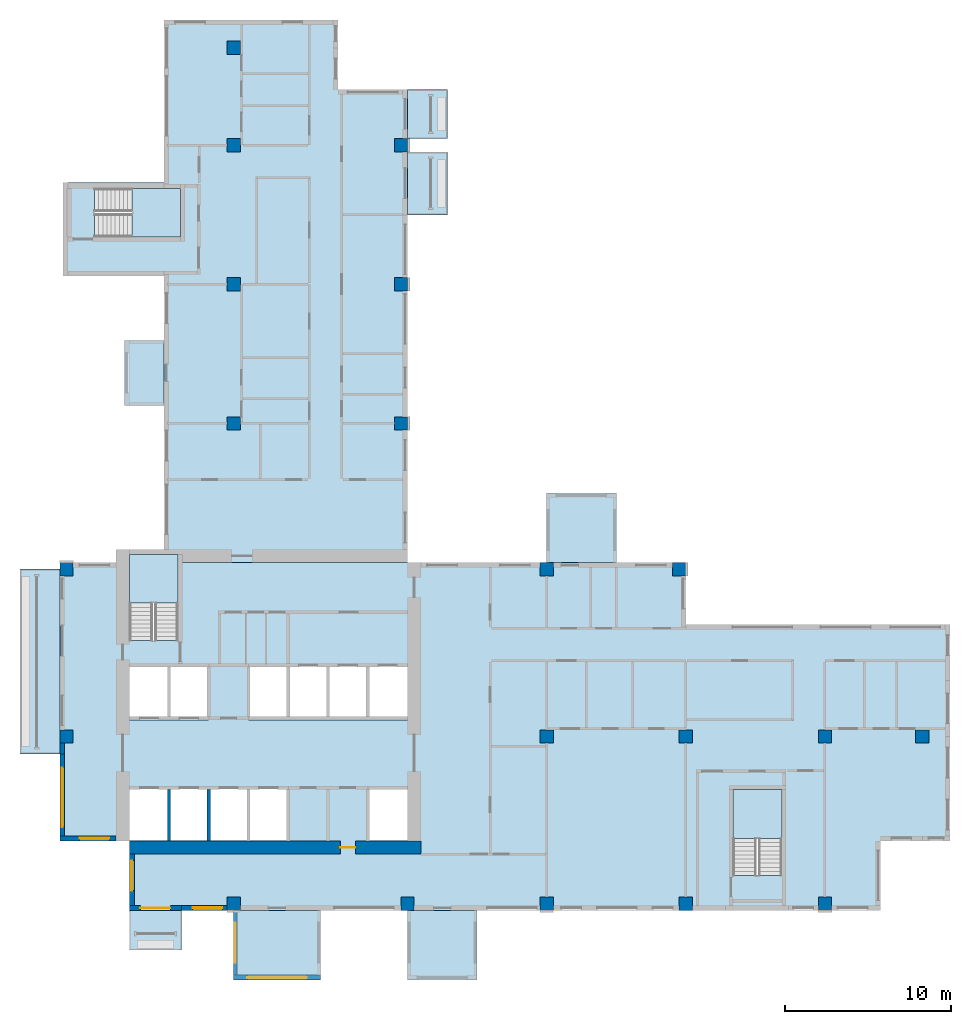
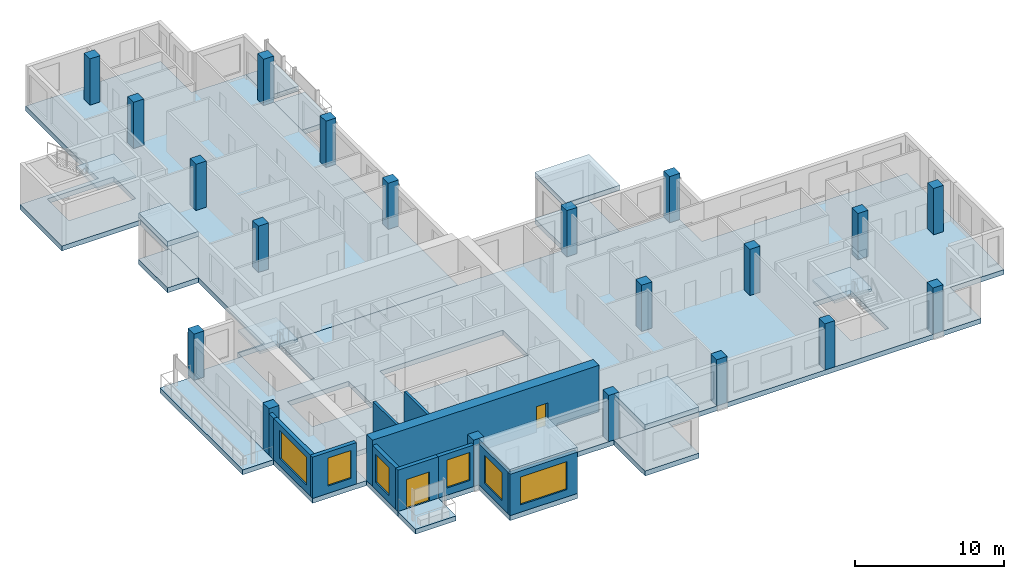
# One storey, part 1 of 12: 20 columns, 17 slabs, 11 walls, 6 windows, 2 doors, 8 openings, 3 elements without a shape of their own.
"""IFC4 building model written with IfcOpenShell, lengths in metres."""

import ifcopenshell
import ifcopenshell.guid

model = None  # the IFC model being written
_history = None  # IfcOwnerHistory: only IFC2X3 demands one
_inside = {}  # id of a spatial element -> (the spatial element, [elements in it])
_under = {}  # id of a project, library or spatial element -> (it, [spatial elements below it])
_declared = {}  # id of a project -> (the project, [libraries it declares])
_typed = {}  # id of a type object -> (the type object, [elements of that type])
_made_of = {}  # id of a material, layer set ... -> (it, [elements and type objects made of it])


def new_model(schema):
    """Start an empty IFC model of exactly this schema.

    Asked for "IFC4X3", IfcOpenShell would pick the latest addendum, in which some entities
    have other attributes; the version numbers below select the first issue.
    IFC2X3 requires an IfcOwnerHistory on every rooted entity: one is made here for all.
    """
    global model, _history
    if schema == "IFC4X3":
        model = ifcopenshell.file(schema_version=(4, 3, 0, 0))
    else:
        model = ifcopenshell.file(schema=schema)
    _inside.clear()
    _under.clear()
    _declared.clear()
    _typed.clear()
    _made_of.clear()
    _history = None
    if model.schema == "IFC2X3":
        org = make("IfcOrganization", Name="unknown")
        user = make(
            "IfcPersonAndOrganization",
            ThePerson=make("IfcPerson", FamilyName="unknown"),
            TheOrganization=org,
        )
        app = make(
            "IfcApplication",
            ApplicationDeveloper=org,
            Version="unknown",
            ApplicationFullName="unknown",
            ApplicationIdentifier="unknown",
        )
        _history = make(
            "IfcOwnerHistory",
            OwningUser=user,
            OwningApplication=app,
            ChangeAction="ADDED",
            CreationDate=0,
        )
    return model


def make(cls, **values):
    """One entity of the class cls with the attributes given. An attribute that is None is left unset."""
    return model.create_entity(
        cls, **{name: value for name, value in values.items() if value is not None}
    )


def rooted(cls, **values):
    """An entity with a GlobalId (a new one), such as an element, a storey or a relation."""
    return make(cls, GlobalId=ifcopenshell.guid.new(), OwnerHistory=_history, **values)


def si_unit(unit_type, name, prefix=None):
    """IfcSIUnit, for example si_unit("LENGTHUNIT", "METRE", prefix="MILLI")."""
    return make("IfcSIUnit", UnitType=unit_type, Prefix=prefix, Name=name)


def assignment(units):
    """IfcUnitAssignment: the units of a project."""
    return None if units is None else make("IfcUnitAssignment", Units=units)


def point(xyz):
    """IfcCartesianPoint."""
    return None if xyz is None else make("IfcCartesianPoint", Coordinates=xyz)


def direction(xyz):
    """IfcDirection."""
    return None if xyz is None else make("IfcDirection", DirectionRatios=xyz)


def frame(location, z_axis=None, x_axis=None):
    """IfcAxis2Placement3D, a coordinate frame: its origin and axes. An axis left out is left unset."""
    return make(
        "IfcAxis2Placement3D",
        Location=point(location),
        Axis=direction(z_axis),
        RefDirection=direction(x_axis),
    )


def frame_2d(location, x_axis=None):
    """IfcAxis2Placement2D, a coordinate frame in the plane: its origin and x axis."""
    return make(
        "IfcAxis2Placement2D", Location=point(location), RefDirection=direction(x_axis)
    )


def origin():
    """The frame at (0, 0, 0) with its axes left unset."""
    return frame((0.0, 0.0, 0.0))


def origin_2d():
    """The frame at (0, 0) in the plane with its x axis left unset."""
    return frame_2d((0.0, 0.0))


def place(relative_to, where):
    """IfcLocalPlacement: puts the frame where relative to a parent placement (None: the world)."""
    return make(
        "IfcLocalPlacement", PlacementRelTo=relative_to, RelativePlacement=where
    )


def context(
    kind, dimensions, precision=None, world=None, true_north=None, identifier=None
):
    """IfcGeometricRepresentationContext, for example the 3D "Model" context."""
    return make(
        "IfcGeometricRepresentationContext",
        ContextIdentifier=identifier,
        ContextType=kind,
        CoordinateSpaceDimension=dimensions,
        Precision=precision,
        WorldCoordinateSystem=world,
        TrueNorth=true_north,
    )


def subcontext(parent, identifier, kind, view, scale=None):
    """IfcGeometricRepresentationSubContext, for example "Body" below "Model"."""
    return make(
        "IfcGeometricRepresentationSubContext",
        ContextIdentifier=identifier,
        ContextType=kind,
        ParentContext=parent,
        TargetScale=scale,
        TargetView=view,
    )


def project(units=None, contexts=None):
    """IfcProject with its units and contexts."""
    return rooted(
        "IfcProject",
        Name="project",
        RepresentationContexts=contexts,
        UnitsInContext=assignment(units),
    )


def spatial(cls, under=None, at=None, **own):
    """A site, building, storey or space (cls), placed at a placement, below another one or the project."""
    s = rooted(cls, ObjectPlacement=at, **own)
    if under is not None:
        _under.setdefault(under.id(), (under, []))[1].append(s)
    return s


def polyline(points):
    """IfcPolyline through the points."""
    return make("IfcPolyline", Points=[point(p) for p in points])


def profile(cls, at=None, kind="AREA", **sizes):
    """A parametric profile (cls). Its sizes go by their IFC names, for example OverallWidth=200.0."""
    return make(cls, ProfileType=kind, Position=at, **sizes)


def rectangle(**sizes):
    """IfcRectangleProfileDef."""
    return profile("IfcRectangleProfileDef", **sizes)


def outline(outer, holes=None, kind="AREA"):
    """IfcArbitraryClosedProfileDef: a profile drawn as a closed curve; with holes, ...WithVoids."""
    if holes is None:
        return make("IfcArbitraryClosedProfileDef", ProfileType=kind, OuterCurve=outer)
    return make(
        "IfcArbitraryProfileDefWithVoids",
        ProfileType=kind,
        OuterCurve=outer,
        InnerCurves=holes,
    )


def extrude(swept, where, along, depth):
    """IfcExtrudedAreaSolid: the profile swept, set in the frame where, extruded along a direction by depth."""
    return make(
        "IfcExtrudedAreaSolid",
        SweptArea=swept,
        Position=where,
        ExtrudedDirection=direction(along),
        Depth=depth,
    )


def shape(context_of_items, identifier, shape_type, items):
    """IfcShapeRepresentation: the items that make up one representation, for example the "Body"."""
    return make(
        "IfcShapeRepresentation",
        ContextOfItems=context_of_items,
        RepresentationIdentifier=identifier,
        RepresentationType=shape_type,
        Items=items,
    )


def source(mapping_origin, context_of_items, identifier, shape_type, items):
    """IfcRepresentationMap: a shape defined once, which mapped items show again and again."""
    return make(
        "IfcRepresentationMap",
        MappingOrigin=mapping_origin,
        MappedRepresentation=shape(context_of_items, identifier, shape_type, items),
    )


def transform(
    local_origin,
    x_axis=None,
    y_axis=None,
    z_axis=None,
    scale=None,
    scale2=None,
    scale3=None,
    uniform=True,
):
    """IfcCartesianTransformationOperator3D, or its non-uniform kind. x_axis, y_axis, z_axis: its Axis1, 2, 3."""
    if uniform:
        return make(
            "IfcCartesianTransformationOperator3D",
            Axis1=direction(x_axis),
            Axis2=direction(y_axis),
            LocalOrigin=point(local_origin),
            Scale=scale,
            Axis3=direction(z_axis),
        )
    return make(
        "IfcCartesianTransformationOperator3DnonUniform",
        Axis1=direction(x_axis),
        Axis2=direction(y_axis),
        LocalOrigin=point(local_origin),
        Scale=scale,
        Axis3=direction(z_axis),
        Scale2=scale2,
        Scale3=scale3,
    )


def mapped(mapping_source, mapping_target):
    """IfcMappedItem: shows the shape of a source again, moved by a transform."""
    return make(
        "IfcMappedItem", MappingSource=mapping_source, MappingTarget=mapping_target
    )


def material(Name=None, Category=None):
    """IfcMaterial."""
    return make("IfcMaterial", Name=Name, Category=Category)


def layer(
    of_material, thickness, ventilated=None, Name=None, Category=None, Priority=None
):
    """IfcMaterialLayer: one layer of a wall or slab, of a material (None: an air gap)."""
    return make(
        "IfcMaterialLayer",
        Material=of_material,
        LayerThickness=thickness,
        IsVentilated=ventilated,
        Name=Name,
        Category=Category,
        Priority=Priority,
    )


def layer_set(layers, Name=None):
    """IfcMaterialLayerSet."""
    return make("IfcMaterialLayerSet", MaterialLayers=layers, LayerSetName=Name)


def material_profile(
    of_material, cross_section, Name=None, Category=None, Priority=None
):
    """IfcMaterialProfile: a cross section and its material."""
    return make(
        "IfcMaterialProfile",
        Name=Name,
        Material=of_material,
        Profile=cross_section,
        Priority=Priority,
        Category=Category,
    )


def profile_set(profiles, Name=None, composite=None):
    """IfcMaterialProfileSet."""
    return make(
        "IfcMaterialProfileSet",
        Name=Name,
        MaterialProfiles=profiles,
        CompositeProfile=composite,
    )


def made_of(thing, what):
    """Note that an element or type object is made of a material, layer set ...; save() writes the relation."""
    if what is not None:
        _made_of.setdefault(what.id(), (what, []))[1].append(thing)
    return thing


def type_object(cls, material=None, **own):
    """A type object (cls), such as IfcWallType, which elements share."""
    return made_of(rooted(cls, **own), material)


def element(
    cls,
    number,
    at=None,
    inside=None,
    cuts=None,
    type_object=None,
    material=None,
    context=None,
    identifier="Body",
    shape_type=None,
    held_by="IfcProductDefinitionShape",
    body=None,
    shapes=None,
    **own,
):
    """One element of the class cls, such as IfcWall. Its Tag is "e" and its number.

    at: its placement. inside: the storey or other place that contains it. cuts: it is an
    opening in that element (IfcRelVoidsElement). A single representation is given by context,
    identifier, shape_type and body (its items); several are given by shapes. held_by: the class
    of the entity that holds the representations. save() writes the other relations.
    """
    e = rooted(cls, Tag="e%d" % number, ObjectPlacement=at, **own)
    if body is not None:
        shapes = [shape(context, identifier, shape_type, body)]
    if shapes is not None:
        e.Representation = make(held_by, Representations=shapes)
    if inside is not None:
        _inside.setdefault(inside.id(), (inside, []))[1].append(e)
    if cuts is not None:
        rooted(
            "IfcRelVoidsElement", RelatingBuildingElement=cuts, RelatedOpeningElement=e
        )
    if type_object is not None:
        _typed.setdefault(type_object.id(), (type_object, []))[1].append(e)
    return made_of(e, material)


def fill(opening, filler):
    """IfcRelFillsElement: the door or window that sits in an opening."""
    return rooted(
        "IfcRelFillsElement",
        RelatingOpeningElement=opening,
        RelatedBuildingElement=filler,
    )


def aggregate(whole, parts):
    """IfcRelAggregates: a whole, such as a stair, and the parts it consists of."""
    return rooted("IfcRelAggregates", RelatingObject=whole, RelatedObjects=parts)


def save(model, path):
    """Write the relations noted so far, then the file.

    IfcRelAggregates (storeys below a building ...), IfcRelContainedInSpatialStructure (elements
    in a storey), IfcRelDefinesByType, IfcRelAssociatesMaterial and IfcRelDeclares: one each for
    every whole, place, type object, material and project.
    """
    for whole, parts in _under.values():
        aggregate(whole, parts)
    for where, things in _inside.values():
        rooted(
            "IfcRelContainedInSpatialStructure",
            RelatedElements=things,
            RelatingStructure=where,
        )
    for kind, things in _typed.values():
        rooted("IfcRelDefinesByType", RelatedObjects=things, RelatingType=kind)
    for what, things in _made_of.values():
        rooted("IfcRelAssociatesMaterial", RelatedObjects=things, RelatingMaterial=what)
    for by, libraries in _declared.values():
        rooted("IfcRelDeclares", RelatingContext=by, RelatedDefinitions=libraries)
    model.write(path)


model = new_model("IFC4")

# Units and contexts
model_context = context("Model", 3, precision=1e-05, world=origin(), true_north=direction((0.0, 1.0)))
body_context = subcontext(model_context, "Body", "Model", "MODEL_VIEW")
ifc_project = project(units=[si_unit("LENGTHUNIT", "METRE"), si_unit("AREAUNIT", "SQUARE_METRE"), si_unit("VOLUMEUNIT", "CUBIC_METRE"), si_unit("PLANEANGLEUNIT", "RADIAN"), si_unit("MASSUNIT", "GRAM", prefix="KILO")], contexts=[model_context])

# Site, building, storey
site_placement = place(None, origin())
site = spatial("IfcSite", under=ifc_project, at=site_placement, CompositionType="ELEMENT")
building_placement = place(site_placement, origin())
building = spatial("IfcBuilding", under=site, at=building_placement, Name="Aurelian Terraces", CompositionType="ELEMENT")
storey_placement = place(building_placement, frame((0.0, 0.0, 246.2)))
storey = spatial("IfcBuildingStorey", under=building, at=storey_placement, Name="L56", CompositionType="ELEMENT", Elevation=246.2)

# Columns
ifc_material_1 = material(Name="Concrete fc' 70 MPa", Category="concrete")
ifc_material_profile = material_profile(ifc_material_1, rectangle(XDim=0.8, YDim=0.8, at=origin_2d()))
ifc_profile_set = profile_set([ifc_material_profile], Name="Concrete fc' 70 MPa")
column_type = type_object("IfcColumnType", Name="RC COLUMN 800X800 FC70", PredefinedType="COLUMN", material=ifc_profile_set)
shared_shape_1 = source(origin(), body_context, "Body", "SweptSolid", [
    extrude(rectangle(XDim=0.8, YDim=0.8, at=origin_2d()), origin(), (0.0, 0.0, 1.0), 3.8),
])
for number, where, z_axis, x_axis, name in (
    (1, (10.5, 0.4, 0.0), (0.0, 0.0, 1.0), (1.0, 0.0, 0.0), "Column 2/A L56"),
    (2, (21.0, 0.4, 0.0), (0.0, 0.0, 1.0), (1.0, 0.0, 0.0), "Column 3/A L56"),
    (3, (29.4, 0.4, 0.0), (0.0, 0.0, 1.0), (1.0, 0.0, 0.0), "Column 4/A L56"),
    (4, (37.8, 0.4, 0.0), (0.0, 0.0, 1.0), (1.0, 0.0, 0.0), "Column 5/A L56"),
    (5, (46.2, 0.4, 0.0), (0.0, 0.0, 1.0), (1.0, 0.0, 0.0), "Column 6/A L56"),
    (6, (0.4, 10.5, 0.0), (0.0, 0.0, 1.0), (1.0, 0.0, 0.0), "Column 1/B L56"),
    (7, (29.4, 10.5, 0.0), (0.0, 0.0, 1.0), (1.0, 0.0, 0.0), "Column 4/B L56"),
    (8, (37.8, 10.5, 0.0), (0.0, 0.0, 1.0), (1.0, 0.0, 0.0), "Column 5/B L56"),
    (9, (46.2, 10.5, 0.0), (0.0, 0.0, 1.0), (1.0, 0.0, 0.0), "Column 6/B L56"),
    (10, (52.08, 10.5, 0.0), (0.0, 0.0, 1.0), (1.0, 0.0, 0.0), "Column 7/B L56"),
    (11, (0.4, 20.6, 0.0), (0.0, 0.0, 1.0), (1.0, 0.0, 0.0), "Column 1/C L56"),
    (12, (29.4, 20.6, 0.0), (0.0, 0.0, 1.0), (1.0, 0.0, 0.0), "Column 4/C L56"),
    (13, (37.4, 20.6, 0.0), (0.0, 0.0, 1.0), (1.0, 0.0, 0.0), "Column 5/C L56"),
    (14, (10.5, 29.4, 0.0), (0.0, 0.0, 1.0), (1.0, 0.0, 0.0), "Column 2/D L56"),
    (15, (20.6, 29.4, 0.0), (0.0, 0.0, 1.0), (1.0, 0.0, 0.0), "Column 3/D L56"),
    (16, (10.5, 37.8, 0.0), (0.0, 0.0, 1.0), (1.0, 0.0, 0.0), "Column 2/E L56"),
    (17, (20.6, 37.8, 0.0), (0.0, 0.0, 1.0), (1.0, 0.0, 0.0), "Column 3/E L56"),
    (18, (10.5, 46.2, 0.0), (0.0, 0.0, 1.0), (1.0, 0.0, 0.0), "Column 2/F L56"),
    (19, (20.6, 46.2, 0.0), (0.0, 0.0, 1.0), (1.0, 0.0, 0.0), "Column 3/F L56"),
    (20, (10.5, 52.08, 0.0), (0.0, 0.0, 1.0), (1.0, 0.0, 0.0), "Column 2/G L56"),
):
    element("IfcColumn", number, at=place(storey_placement, frame(where, z_axis=z_axis, x_axis=x_axis)), inside=storey, type_object=column_type, Name=name, PredefinedType="COLUMN", context=body_context, shape_type="MappedRepresentation", body=[
        mapped(shared_shape_1, transform((0.0, 0.0, 0.0), scale=1.0)),
    ])

# Slabs
ifc_material_2 = material(Name="Concrete fc' 40 MPa", Category="concrete")
ifc_layer_1 = layer(ifc_material_2, 0.4)
ifc_layer_set_1 = layer_set([ifc_layer_1], Name="Balcony slab 400")
slab_type_1 = type_object("IfcSlabType", Name="Balcony slab 400", PredefinedType="NOTDEFINED", material=ifc_layer_set_1)
slab_1_placement = place(storey_placement, frame((0.0, 0.0, -0.4)))
element("IfcSlab", 21, at=slab_1_placement, inside=storey, type_object=slab_type_1, Name="Balcony slab L56 F20.35", PredefinedType="NOTDEFINED", context=body_context, shape_type="SweptSolid", body=[
    extrude(outline(polyline([(0.0, 20.6), (0.0, 9.45), (-2.4, 9.45), (-2.4, 20.6), (0.0, 20.6)])), origin(), (0.0, 0.0, 1.0), 0.4),
])
ifc_layer_2 = layer(ifc_material_2, 0.4)
ifc_layer_set_2 = layer_set([ifc_layer_2], Name="PT FLAT PLATE 400")
slab_type_2 = type_object("IfcSlabType", Name="PT FLAT PLATE 400", PredefinedType="FLOOR", material=ifc_layer_set_2)
shared_shape_2 = source(origin(), body_context, "Body", "SweptSolid", [
    extrude(outline(polyline([(0.2, 43.95), (6.3, 43.95), (6.3, 49.56), (6.3, 53.76), (10.5, 53.76), (16.8, 53.76), (16.8, 49.56), (21.0, 49.56), (21.0, 21.0), (7.14, 21.0), (7.14, 21.49), (4.21, 21.49), (4.21, 21.0), (4.2, 21.0), (4.2, 21.6), (6.3, 21.6), (6.3, 38.3), (0.2, 38.3), (0.2, 43.95)]), holes=[polyline([(7.29, 43.59), (2.11, 43.59), (2.11, 40.66), (7.29, 40.66), (7.29, 43.59)])]), origin(), (0.0, 0.0, 1.0), 0.4),
])
slab_2_placement = place(storey_placement, frame((0.0, 0.0, -0.4)))
element("IfcSlab", 22, at=slab_2_placement, inside=storey, type_object=slab_type_2, Name="Floor slab W L56", PredefinedType="FLOOR", context=body_context, shape_type="MappedRepresentation", body=[
    mapped(shared_shape_2, transform((0.0, 0.0, 0.0), scale=1.0)),
])
shared_shape_3 = source(origin(), body_context, "Body", "SweptSolid", [
    extrude(outline(polyline([(53.76, 4.2), (49.56, 4.2), (49.56, 0.0), (21.0, 0.0), (4.2, 0.0), (4.2, 4.2), (0.0, 4.2), (0.0, 21.0), (4.21, 21.0), (4.21, 16.31), (7.14, 16.31), (7.14, 21.0), (21.0, 21.0), (37.8, 21.0), (37.8, 17.25), (49.56, 17.25), (53.76, 17.25), (53.76, 16.8), (53.76, 16.65), (53.76, 4.2)]), holes=[polyline([(40.66, 2.11), (43.59, 2.11), (43.59, 7.29), (40.66, 7.29), (40.66, 2.11)]), polyline([(18.61, 7.49), (18.61, 4.21), (20.99, 4.21), (20.99, 7.49), (18.61, 7.49)]), polyline([(20.99, 14.89), (11.41, 14.89), (11.41, 11.51), (20.99, 11.51), (20.99, 14.89)]), polyline([(4.21, 7.49), (4.21, 4.21), (13.79, 4.21), (13.79, 7.49), (4.21, 7.49)]), polyline([(4.21, 14.89), (4.21, 11.51), (8.99, 11.51), (8.99, 14.89), (4.21, 14.89)])]), origin(), (0.0, 0.0, 1.0), 0.4),
])
slab_3_placement = place(storey_placement, frame((0.0, 0.0, -0.4)))
element("IfcSlab", 23, at=slab_3_placement, inside=storey, type_object=slab_type_2, Name="Floor slab S L56", PredefinedType="FLOOR", context=body_context, shape_type="MappedRepresentation", body=[
    mapped(shared_shape_3, transform((0.0, 0.0, 0.0), scale=1.0)),
])
ifc_layer_3 = layer(ifc_material_2, 0.41)
ifc_layer_set_3 = layer_set([ifc_layer_3], Name="Box floor 410")
slab_type_3 = type_object("IfcSlabType", Name="Box floor 410", PredefinedType="NOTDEFINED", material=ifc_layer_set_3)
shared_shape_4 = source(origin(), body_context, "Body", "SweptSolid", [
    extrude(outline(polyline([(3.9, 34.4), (3.9, 30.5), (6.3, 30.5), (6.3, 34.4), (3.9, 34.4)])), origin(), (0.0, 0.0, 1.0), 0.41),
])
slab_4_placement = place(storey_placement, frame((0.0, 0.0, -0.41)))
element("IfcSlab", 24, at=slab_4_placement, inside=storey, type_object=slab_type_3, Name="Box floor L56 J82", PredefinedType="NOTDEFINED", context=body_context, shape_type="MappedRepresentation", body=[
    mapped(shared_shape_4, transform((0.0, 0.0, 0.0), scale=1.0)),
])
shared_shape_5 = source(origin(), body_context, "Body", "SweptSolid", [
    extrude(outline(polyline([(21.0, -4.2), (25.2, -4.2), (25.2, 0.0), (21.0, 0.0), (21.0, -4.2)])), origin(), (0.0, 0.0, 1.0), 0.41),
])
slab_5_placement = place(storey_placement, frame((0.0, 0.0, -0.41)))
element("IfcSlab", 25, at=slab_5_placement, inside=storey, type_object=slab_type_3, Name="Box floor L56 J80", PredefinedType="NOTDEFINED", context=body_context, shape_type="MappedRepresentation", body=[
    mapped(shared_shape_5, transform((0.0, 0.0, 0.0), scale=1.0)),
])
ifc_layer_4 = layer(ifc_material_2, 0.4)
ifc_layer_set_4 = layer_set([ifc_layer_4], Name="Box roof 400")
slab_type_4 = type_object("IfcSlabType", Name="Box roof 400", PredefinedType="ROOF", material=ifc_layer_set_4)
shared_shape_6 = source(origin(), body_context, "Body", "SweptSolid", [
    extrude(outline(polyline([(3.9, 34.4), (3.9, 30.5), (6.3, 30.5), (6.3, 34.4), (3.9, 34.4)])), origin(), (0.0, 0.0, 1.0), 0.4),
])
slab_6_placement = place(storey_placement, frame((0.0, 0.0, 3.4)))
element("IfcSlab", 26, at=slab_6_placement, inside=storey, type_object=slab_type_4, Name="Box roof J82", PredefinedType="ROOF", context=body_context, shape_type="MappedRepresentation", body=[
    mapped(shared_shape_6, transform((0.0, 0.0, 0.0), scale=1.0)),
])
shared_shape_7 = source(origin(), body_context, "Body", "SweptSolid", [
    extrude(outline(polyline([(33.6, 25.2), (29.4, 25.2), (29.4, 21.0), (33.6, 21.0), (33.6, 25.2)])), origin(), (0.0, 0.0, 1.0), 0.41),
])
slab_7_placement = place(storey_placement, frame((0.0, 0.0, -0.41)))
element("IfcSlab", 27, at=slab_7_placement, inside=storey, type_object=slab_type_3, Name="Box floor L56 J81", PredefinedType="NOTDEFINED", context=body_context, shape_type="MappedRepresentation", body=[
    mapped(shared_shape_7, transform((0.0, 0.0, 0.0), scale=1.0)),
])
shared_shape_8 = source(origin(), body_context, "Body", "SweptSolid", [
    extrude(outline(polyline([(10.5, -4.2), (15.75, -4.2), (15.75, 0.0), (10.5, 0.0), (10.5, -4.2)])), origin(), (0.0, 0.0, 1.0), 0.41),
])
slab_8_placement = place(storey_placement, frame((0.0, 0.0, -0.41)))
element("IfcSlab", 28, at=slab_8_placement, inside=storey, type_object=slab_type_3, Name="Box floor L56 J79", PredefinedType="NOTDEFINED", context=body_context, shape_type="MappedRepresentation", body=[
    mapped(shared_shape_8, transform((0.0, 0.0, 0.0), scale=1.0)),
])
shared_shape_9 = source(origin(), body_context, "Body", "SweptSolid", [
    extrude(outline(polyline([(4.2, 0.0), (7.35, 0.0), (7.35, -2.4), (4.2, -2.4), (4.2, 0.0)])), origin(), (0.0, 0.0, 1.0), 0.4),
])
slab_9_placement = place(storey_placement, frame((0.0, 0.0, -0.4)))
element("IfcSlab", 29, at=slab_9_placement, inside=storey, type_object=slab_type_1, Name="Balcony slab L56 F01.1", PredefinedType="NOTDEFINED", context=body_context, shape_type="MappedRepresentation", body=[
    mapped(shared_shape_9, transform((0.0, 0.0, 0.0), scale=1.0)),
])
shared_shape_10 = source(origin(), body_context, "Body", "SweptSolid", [
    extrude(outline(polyline([(33.6, 25.2), (29.4, 25.2), (29.4, 21.0), (33.6, 21.0), (33.6, 25.2)])), origin(), (0.0, 0.0, 1.0), 0.4),
])
slab_10_placement = place(storey_placement, frame((0.0, 0.0, 3.4)))
element("IfcSlab", 30, at=slab_10_placement, inside=storey, type_object=slab_type_4, Name="Box roof J81", PredefinedType="ROOF", context=body_context, shape_type="MappedRepresentation", body=[
    mapped(shared_shape_10, transform((0.0, 0.0, 0.0), scale=1.0)),
])
shared_shape_11 = source(origin(), body_context, "Body", "SweptSolid", [
    extrude(outline(polyline([(10.5, -4.2), (15.75, -4.2), (15.75, 0.0), (10.5, 0.0), (10.5, -4.2)])), origin(), (0.0, 0.0, 1.0), 0.4),
])
slab_11_placement = place(storey_placement, frame((0.0, 0.0, 3.4)))
element("IfcSlab", 31, at=slab_11_placement, inside=storey, type_object=slab_type_4, Name="Box roof J79", PredefinedType="ROOF", context=body_context, shape_type="MappedRepresentation", body=[
    mapped(shared_shape_11, transform((0.0, 0.0, 0.0), scale=1.0)),
])
shared_shape_12 = source(origin(), body_context, "Body", "SweptSolid", [
    extrude(outline(polyline([(21.0, 46.6), (21.0, 49.56), (23.4, 49.56), (23.4, 46.6), (21.0, 46.6)])), origin(), (0.0, 0.0, 1.0), 0.4),
])
slab_12_placement = place(storey_placement, frame((0.0, 0.0, -0.4)))
element("IfcSlab", 32, at=slab_12_placement, inside=storey, type_object=slab_type_1, Name="Balcony slab L56 F08.22", PredefinedType="NOTDEFINED", context=body_context, shape_type="MappedRepresentation", body=[
    mapped(shared_shape_12, transform((0.0, 0.0, 0.0), scale=1.0)),
])
shared_shape_13 = source(origin(), body_context, "Body", "SweptSolid", [
    extrude(outline(polyline([(21.0, -4.2), (25.2, -4.2), (25.2, 0.0), (21.0, 0.0), (21.0, -4.2)])), origin(), (0.0, 0.0, 1.0), 0.4),
])
slab_13_placement = place(storey_placement, frame((0.0, 0.0, 3.4)))
element("IfcSlab", 33, at=slab_13_placement, inside=storey, type_object=slab_type_4, Name="Box roof J80", PredefinedType="ROOF", context=body_context, shape_type="MappedRepresentation", body=[
    mapped(shared_shape_13, transform((0.0, 0.0, 0.0), scale=1.0)),
])
shared_shape_14 = source(origin(), body_context, "Body", "SweptSolid", [
    extrude(outline(polyline([(21.0, 42.0), (21.0, 45.8), (23.4, 45.8), (23.4, 42.0), (21.0, 42.0)])), origin(), (0.0, 0.0, 1.0), 0.4),
])
slab_14_placement = place(storey_placement, frame((0.0, 0.0, -0.4)))
element("IfcSlab", 34, at=slab_14_placement, inside=storey, type_object=slab_type_1, Name="Balcony slab L56 F08.21", PredefinedType="NOTDEFINED", context=body_context, shape_type="MappedRepresentation", body=[
    mapped(shared_shape_14, transform((0.0, 0.0, 0.0), scale=1.0)),
])

# Stair, slab
stair_type = type_object("IfcStairType", Name="Stair 1400", PredefinedType="HALF_TURN_STAIR", material=ifc_material_2)
stair_1_placement = place(storey_placement, origin())
stair_1 = element("IfcStair", 35, at=stair_1_placement, inside=storey, type_object=stair_type, Name="L56 S1", PredefinedType="HALF_TURN_STAIR")
ifc_layer_5 = layer(ifc_material_2, 0.2)
ifc_layer_set_5 = layer_set([ifc_layer_5], Name="Stair landing 200")
slab_type_5 = type_object("IfcSlabType", Name="Stair landing 200", PredefinedType="LANDING", material=ifc_layer_set_5)
shared_shape_15 = source(origin(), body_context, "Body", "SweptSolid", [
    extrude(outline(polyline([(7.15, 18.55), (7.15, 21.5), (4.2, 21.5), (4.2, 18.55), (7.15, 18.55)])), origin(), (0.0, 0.0, 1.0), 0.2),
])
slab_15_placement = place(storey_placement, frame((0.0, 0.0, 1.7)))
slab_15 = element("IfcSlab", 36, at=slab_15_placement, type_object=slab_type_5, Name="S1 landing 1", PredefinedType="LANDING", context=body_context, shape_type="MappedRepresentation", body=[
    mapped(shared_shape_15, transform((0.0, 0.0, 0.0), scale=1.0)),
])
aggregate(stair_1, [slab_15])

stair_2_placement = place(storey_placement, origin())
stair_2 = element("IfcStair", 37, at=stair_2_placement, inside=storey, type_object=stair_type, Name="L56 S2", PredefinedType="HALF_TURN_STAIR")
shared_shape_16 = source(origin(), body_context, "Body", "SweptSolid", [
    extrude(outline(polyline([(43.6, 4.35), (43.6, 7.3), (40.65, 7.3), (40.65, 4.35), (43.6, 4.35)])), origin(), (0.0, 0.0, 1.0), 0.2),
])
slab_16_placement = place(storey_placement, frame((0.0, 0.0, 1.7)))
slab_16 = element("IfcSlab", 38, at=slab_16_placement, type_object=slab_type_5, Name="S2 landing 1", PredefinedType="LANDING", context=body_context, shape_type="MappedRepresentation", body=[
    mapped(shared_shape_16, transform((0.0, 0.0, 0.0), scale=1.0)),
])
aggregate(stair_2, [slab_16])

stair_3_placement = place(storey_placement, origin())
stair_3 = element("IfcStair", 39, at=stair_3_placement, inside=storey, type_object=stair_type, Name="L56 S3", PredefinedType="HALF_TURN_STAIR")
shared_shape_17 = source(origin(), body_context, "Body", "SweptSolid", [
    extrude(outline(polyline([(4.35, 40.65), (7.3, 40.65), (7.3, 43.6), (4.35, 43.6), (4.35, 40.65)])), origin(), (0.0, 0.0, 1.0), 0.2),
])
slab_17_placement = place(storey_placement, frame((0.0, 0.0, 1.7)))
slab_17 = element("IfcSlab", 40, at=slab_17_placement, type_object=slab_type_5, Name="S3 landing 1", PredefinedType="LANDING", context=body_context, shape_type="MappedRepresentation", body=[
    mapped(shared_shape_17, transform((0.0, 0.0, 0.0), scale=1.0)),
])
aggregate(stair_3, [slab_17])

# Wall
ifc_material_3 = material(Name="Terracotta rainscreen cladding", Category="masonry")
ifc_layer_6 = layer(ifc_material_3, 0.3)
ifc_layer_set_6 = layer_set([ifc_layer_6], Name="EW-300")
wall_type_1 = type_object("IfcWallType", Name="EW-300", PredefinedType="STANDARD", material=ifc_layer_set_6)
wall_1_placement = place(storey_placement, frame((0.15, 10.1, 0.0), z_axis=(0.0, 0.0, 1.0), x_axis=(0.0, -1.0, 0.0)))
element("IfcWall", 41, at=wall_1_placement, inside=storey, type_object=wall_type_1, Name="External wall L56 F20.35", PredefinedType="STANDARD", context=body_context, shape_type="SweptSolid", body=[
    extrude(rectangle(XDim=0.65, YDim=0.3, at=frame_2d((0.325, 0.0))), origin(), (0.0, 0.0, 1.0), 3.4),
])

# Wall, opening, door
ifc_layer_7 = layer(ifc_material_1, 0.8)
ifc_layer_set_7 = layer_set([ifc_layer_7], Name="CORE WALL 800 FC70")
wall_type_2 = type_object("IfcWallType", Name="CORE WALL 800 FC70", PredefinedType="SHEAR", material=ifc_layer_set_7)
shared_shape_18 = source(origin(), body_context, "Body", "SweptSolid", [
    extrude(rectangle(XDim=17.6, YDim=0.8, at=frame_2d((8.8, 0.0))), origin(), (0.0, 0.0, 1.0), 3.8),
])
wall_2_placement = place(storey_placement, frame((4.2, 3.8, 0.0), z_axis=(0.0, 0.0, 1.0), x_axis=(1.0, 0.0, 0.0)))
wall_2 = element("IfcWall", 42, at=wall_2_placement, inside=storey, type_object=wall_type_2, Name="Core wall S L56", PredefinedType="SHEAR", context=body_context, shape_type="MappedRepresentation", body=[
    mapped(shared_shape_18, transform((0.0, 0.0, 0.0), scale=1.0)),
])
shared_shape_19 = source(origin(), body_context, "Body", "SweptSolid", [
    extrude(rectangle(XDim=0.9, YDim=2.1, at=frame_2d((0.45, 1.05))), frame((0.0, 0.41, 0.0), z_axis=(0.0, -1.0, 0.0), x_axis=(1.0, 0.0, 0.0)), (0.0, 0.0, 1.0), 0.82),
])
opening_1_placement = place(wall_2_placement, frame((12.75, 0.0, 0.0)))
opening_1 = element("IfcOpeningElement", 43, at=opening_1_placement, cuts=wall_2, Name="Opening 65927", PredefinedType="OPENING", context=body_context, shape_type="MappedRepresentation", body=[
    mapped(shared_shape_19, transform((0.0, 0.0, 0.0), scale=1.0)),
])
ifc_material_4 = material(Name="Steel door leaf", Category="steel")
door_type_1 = type_object("IfcDoorType", Name="Core service door 900x2100 right", OperationType="SINGLE_SWING_RIGHT", PredefinedType="DOOR", material=ifc_material_4)
shared_shape_20 = source(origin(), body_context, "Body", "SweptSolid", [
    extrude(rectangle(XDim=0.9, YDim=2.1, at=frame_2d((0.45, 1.05))), frame((0.0, 0.025, 0.0), z_axis=(0.0, -1.0, 0.0), x_axis=(1.0, 0.0, 0.0)), (0.0, 0.0, 1.0), 0.05),
])
door_1_placement = place(opening_1_placement, origin())
door_1 = element("IfcDoor", 44, at=door_1_placement, inside=storey, type_object=door_type_1, Name="Core door 65927", OperationType="SINGLE_SWING_RIGHT", OverallHeight=2.1, OverallWidth=0.9, PredefinedType="DOOR", context=body_context, shape_type="MappedRepresentation", body=[
    mapped(shared_shape_20, transform((0.0, 0.0, 0.0), scale=1.0)),
])
fill(opening_1, door_1)

# Wall, opening, window
shared_shape_21 = source(origin(), body_context, "Body", "SweptSolid", [
    extrude(rectangle(XDim=3.4, YDim=0.3, at=frame_2d((1.7, 0.0))), origin(), (0.0, 0.0, 1.0), 3.4),
])
wall_3_placement = place(storey_placement, frame((0.0, 4.35, 0.0), z_axis=(0.0, 0.0, 1.0), x_axis=(1.0, 0.0, 0.0)))
wall_3 = element("IfcWall", 45, at=wall_3_placement, inside=storey, type_object=wall_type_1, Name="External wall L56 F21.37", PredefinedType="STANDARD", context=body_context, shape_type="MappedRepresentation", body=[
    mapped(shared_shape_21, transform((0.0, 0.0, 0.0), scale=1.0)),
])
shared_shape_22 = source(origin(), body_context, "Body", "SweptSolid", [
    extrude(rectangle(XDim=1.8, YDim=2.3, at=frame_2d((0.9, 1.15))), frame((0.0, 0.16, 0.0), z_axis=(0.0, -1.0, 0.0), x_axis=(1.0, 0.0, 0.0)), (0.0, 0.0, 1.0), 0.32),
])
opening_2_placement = place(wall_3_placement, frame((1.2, 0.0, 0.6)))
opening_2 = element("IfcOpeningElement", 46, at=opening_2_placement, cuts=wall_3, Name="Opening W1823", PredefinedType="OPENING", context=body_context, shape_type="MappedRepresentation", body=[
    mapped(shared_shape_22, transform((0.0, 0.0, 0.0), scale=1.0)),
])
ifc_material_5 = material(Name="Clear glazing", Category="glass")
window_type_1 = type_object("IfcWindowType", Name="W-1800x2300", PartitioningType="SINGLE_PANEL", PredefinedType="WINDOW", material=ifc_material_5)
shared_shape_23 = source(origin(), body_context, "Body", "SweptSolid", [
    extrude(rectangle(XDim=1.8, YDim=2.3, at=frame_2d((0.9, 1.15))), frame((0.0, 0.03, 0.0), z_axis=(0.0, -1.0, 0.0), x_axis=(1.0, 0.0, 0.0)), (0.0, 0.0, 1.0), 0.06),
])
window_1_placement = place(opening_2_placement, origin())
window_1 = element("IfcWindow", 47, at=window_1_placement, inside=storey, type_object=window_type_1, Name="Window L56 L56-F21-37-0", OverallHeight=2.3, OverallWidth=1.8, PartitioningType="SINGLE_PANEL", PredefinedType="WINDOW", context=body_context, shape_type="MappedRepresentation", body=[
    mapped(shared_shape_23, transform((0.0, 0.0, 0.0), scale=1.0)),
])
fill(opening_2, window_1)

wall_4_placement = place(storey_placement, frame((4.35, 3.4, 0.0), z_axis=(0.0, 0.0, 1.0), x_axis=(0.0, -1.0, 0.0)))
wall_4 = element("IfcWall", 48, at=wall_4_placement, inside=storey, type_object=wall_type_1, Name="External wall L56 F22.38", PredefinedType="STANDARD", context=body_context, shape_type="MappedRepresentation", body=[
    mapped(shared_shape_21, transform((0.0, 0.0, 0.0), scale=1.0)),
])
opening_3_placement = place(wall_4_placement, frame((0.4, 0.0, 0.6)))
opening_3 = element("IfcOpeningElement", 49, at=opening_3_placement, cuts=wall_4, Name="Opening W1823", PredefinedType="OPENING", context=body_context, shape_type="MappedRepresentation", body=[
    mapped(shared_shape_22, transform((0.0, 0.0, 0.0), scale=1.0)),
])
window_2_placement = place(opening_3_placement, origin())
window_2 = element("IfcWindow", 50, at=window_2_placement, inside=storey, type_object=window_type_1, Name="Window L56 L56-F22-38-0", OverallHeight=2.3, OverallWidth=1.8, PartitioningType="SINGLE_PANEL", PredefinedType="WINDOW", context=body_context, shape_type="MappedRepresentation", body=[
    mapped(shared_shape_23, transform((0.0, 0.0, 0.0), scale=1.0)),
])
fill(opening_3, window_2)

ifc_layer_8 = layer(ifc_material_2, 0.2)
ifc_layer_set_8 = layer_set([ifc_layer_8], Name="BOX BEARING WALL 200")
wall_type_3 = type_object("IfcWallType", Name="BOX BEARING WALL 200", PredefinedType="SOLIDWALL", material=ifc_layer_set_8)
shared_shape_24 = source(origin(), body_context, "Body", "SweptSolid", [
    extrude(rectangle(XDim=3.9, YDim=0.2, at=frame_2d((1.95, 0.0))), origin(), (0.0, 0.0, 1.0), 3.4),
])
wall_5_placement = place(storey_placement, frame((10.6, 0.0, 0.0), z_axis=(0.0, 0.0, 1.0), x_axis=(0.0, -1.0, 0.0)))
wall_5 = element("IfcWall", 51, at=wall_5_placement, inside=storey, type_object=wall_type_3, Name="Box return L56 J79.1", PredefinedType="SOLIDWALL", context=body_context, shape_type="MappedRepresentation", body=[
    mapped(shared_shape_24, transform((0.0, 0.0, 0.0), scale=1.0)),
])
shared_shape_25 = source(origin(), body_context, "Body", "SweptSolid", [
    extrude(rectangle(XDim=2.4, YDim=2.3, at=frame_2d((1.2, 1.15))), frame((0.0, 0.11, 0.0), z_axis=(0.0, -1.0, 0.0), x_axis=(1.0, 0.0, 0.0)), (0.0, 0.0, 1.0), 0.22),
])
opening_4_placement = place(wall_5_placement, frame((0.75, 0.0, 0.6)))
opening_4 = element("IfcOpeningElement", 52, at=opening_4_placement, cuts=wall_5, Name="Opening W2423", PredefinedType="OPENING", context=body_context, shape_type="MappedRepresentation", body=[
    mapped(shared_shape_25, transform((0.0, 0.0, 0.0), scale=1.0)),
])
window_type_2 = type_object("IfcWindowType", Name="W-2400x2300", PartitioningType="SINGLE_PANEL", PredefinedType="WINDOW", material=ifc_material_5)
shared_shape_26 = source(origin(), body_context, "Body", "SweptSolid", [
    extrude(rectangle(XDim=2.4, YDim=2.3, at=frame_2d((1.2, 1.15))), frame((0.0, 0.03, 0.0), z_axis=(0.0, -1.0, 0.0), x_axis=(1.0, 0.0, 0.0)), (0.0, 0.0, 1.0), 0.06),
])
window_3_placement = place(opening_4_placement, origin())
window_3 = element("IfcWindow", 53, at=window_3_placement, inside=storey, type_object=window_type_2, Name="Window L56 J79-S1", OverallHeight=2.3, OverallWidth=2.4, PartitioningType="SINGLE_PANEL", PredefinedType="WINDOW", context=body_context, shape_type="MappedRepresentation", body=[
    mapped(shared_shape_26, transform((0.0, 0.0, 0.0), scale=1.0)),
])
fill(opening_4, window_3)

# Wall, opening, door
shared_shape_27 = source(origin(), body_context, "Body", "SweptSolid", [
    extrude(rectangle(XDim=3.15, YDim=0.3, at=frame_2d((1.575, 0.0))), origin(), (0.0, 0.0, 1.0), 3.4),
])
wall_6_placement = place(storey_placement, frame((4.2, 0.15, 0.0), z_axis=(0.0, 0.0, 1.0), x_axis=(1.0, 0.0, 0.0)))
wall_6 = element("IfcWall", 54, at=wall_6_placement, inside=storey, type_object=wall_type_1, Name="External wall L56 F01.1", PredefinedType="STANDARD", context=body_context, shape_type="MappedRepresentation", body=[
    mapped(shared_shape_27, transform((0.0, 0.0, 0.0), scale=1.0)),
])
shared_shape_28 = source(origin(), body_context, "Body", "SweptSolid", [
    extrude(rectangle(XDim=1.8, YDim=2.4, at=frame_2d((0.9, 1.2))), frame((0.0, 0.16, 0.0), z_axis=(0.0, -1.0, 0.0), x_axis=(1.0, 0.0, 0.0)), (0.0, 0.0, 1.0), 0.32),
])
opening_5_placement = place(wall_6_placement, frame((0.675, 0.0, 0.0)))
opening_5 = element("IfcOpeningElement", 55, at=opening_5_placement, cuts=wall_6, Name="Opening 85601", PredefinedType="OPENING", context=body_context, shape_type="MappedRepresentation", body=[
    mapped(shared_shape_28, transform((0.0, 0.0, 0.0), scale=1.0)),
])
door_type_2 = type_object("IfcDoorType", Name="BD-1800x2400", OperationType="SLIDING_TO_LEFT", PredefinedType="DOOR", material=ifc_material_5)
shared_shape_29 = source(origin(), body_context, "Body", "SweptSolid", [
    extrude(rectangle(XDim=1.8, YDim=2.4, at=frame_2d((0.9, 1.2))), frame((0.0, 0.025, 0.0), z_axis=(0.0, -1.0, 0.0), x_axis=(1.0, 0.0, 0.0)), (0.0, 0.0, 1.0), 0.05),
])
door_2_placement = place(opening_5_placement, origin())
door_2 = element("IfcDoor", 56, at=door_2_placement, inside=storey, type_object=door_type_2, Name="Balcony door L56 F01.1", OperationType="SLIDING_TO_LEFT", OverallHeight=2.4, OverallWidth=1.8, PredefinedType="DOOR", context=body_context, shape_type="MappedRepresentation", body=[
    mapped(shared_shape_29, transform((0.0, 0.0, 0.0), scale=1.0)),
])
fill(opening_5, door_2)

# Wall, opening, window
ifc_layer_9 = layer(ifc_material_2, 0.3)
ifc_layer_set_9 = layer_set([ifc_layer_9], Name="BOX BEARING WALL 300")
wall_type_4 = type_object("IfcWallType", Name="BOX BEARING WALL 300", PredefinedType="SOLIDWALL", material=ifc_layer_set_9)
shared_shape_30 = source(origin(), body_context, "Body", "SweptSolid", [
    extrude(rectangle(XDim=5.25, YDim=0.3, at=frame_2d((2.625, 0.0))), origin(), (0.0, 0.0, 1.0), 3.4),
])
wall_7_placement = place(storey_placement, frame((10.5, -4.05, 0.0), z_axis=(0.0, 0.0, 1.0), x_axis=(1.0, 0.0, 0.0)))
wall_7 = element("IfcWall", 57, at=wall_7_placement, inside=storey, type_object=wall_type_4, Name="Box wall L56 J79", PredefinedType="SOLIDWALL", context=body_context, shape_type="MappedRepresentation", body=[
    mapped(shared_shape_30, transform((0.0, 0.0, 0.0), scale=1.0)),
])
shared_shape_31 = source(origin(), body_context, "Body", "SweptSolid", [
    extrude(rectangle(XDim=3.6, YDim=2.3, at=frame_2d((1.8, 1.15))), frame((0.0, 0.16, 0.0), z_axis=(0.0, -1.0, 0.0), x_axis=(1.0, 0.0, 0.0)), (0.0, 0.0, 1.0), 0.32),
])
opening_6_placement = place(wall_7_placement, frame((0.825, 0.0, 0.6)))
opening_6 = element("IfcOpeningElement", 58, at=opening_6_placement, cuts=wall_7, Name="Opening W3623", PredefinedType="OPENING", context=body_context, shape_type="MappedRepresentation", body=[
    mapped(shared_shape_31, transform((0.0, 0.0, 0.0), scale=1.0)),
])
window_type_3 = type_object("IfcWindowType", Name="W-3600x2300", PartitioningType="SINGLE_PANEL", PredefinedType="WINDOW", material=ifc_material_5)
shared_shape_32 = source(origin(), body_context, "Body", "SweptSolid", [
    extrude(rectangle(XDim=3.6, YDim=2.3, at=frame_2d((1.8, 1.15))), frame((0.0, 0.03, 0.0), z_axis=(0.0, -1.0, 0.0), x_axis=(1.0, 0.0, 0.0)), (0.0, 0.0, 1.0), 0.06),
])
window_4_placement = place(opening_6_placement, origin())
window_4 = element("IfcWindow", 59, at=window_4_placement, inside=storey, type_object=window_type_3, Name="Window L56 J79-F1", OverallHeight=2.3, OverallWidth=3.6, PartitioningType="SINGLE_PANEL", PredefinedType="WINDOW", context=body_context, shape_type="MappedRepresentation", body=[
    mapped(shared_shape_32, transform((0.0, 0.0, 0.0), scale=1.0)),
])
fill(opening_6, window_4)

shared_shape_33 = source(origin(), body_context, "Body", "SweptSolid", [
    extrude(rectangle(XDim=5.25, YDim=0.3, at=frame_2d((2.625, 0.0))), origin(), (0.0, 0.0, 1.0), 3.4),
])
wall_8_placement = place(storey_placement, frame((0.15, 9.45, 0.0), z_axis=(0.0, 0.0, 1.0), x_axis=(0.0, -1.0, 0.0)))
wall_8 = element("IfcWall", 60, at=wall_8_placement, inside=storey, type_object=wall_type_1, Name="External wall L56 F20.36", PredefinedType="STANDARD", context=body_context, shape_type="MappedRepresentation", body=[
    mapped(shared_shape_33, transform((0.0, 0.0, 0.0), scale=1.0)),
])
opening_7_placement = place(wall_8_placement, frame((0.825, 0.0, 0.6)))
opening_7 = element("IfcOpeningElement", 61, at=opening_7_placement, cuts=wall_8, Name="Opening W3623", PredefinedType="OPENING", context=body_context, shape_type="MappedRepresentation", body=[
    mapped(shared_shape_31, transform((0.0, 0.0, 0.0), scale=1.0)),
])
window_5_placement = place(opening_7_placement, origin())
window_5 = element("IfcWindow", 62, at=window_5_placement, inside=storey, type_object=window_type_3, Name="Window L56 L56-F20-36-0", OverallHeight=2.3, OverallWidth=3.6, PartitioningType="SINGLE_PANEL", PredefinedType="WINDOW", context=body_context, shape_type="MappedRepresentation", body=[
    mapped(shared_shape_32, transform((0.0, 0.0, 0.0), scale=1.0)),
])
fill(opening_7, window_5)

shared_shape_34 = source(origin(), body_context, "Body", "SweptSolid", [
    extrude(rectangle(XDim=2.75, YDim=0.3, at=frame_2d((1.375, 0.0))), origin(), (0.0, 0.0, 1.0), 3.4),
])
wall_9_placement = place(storey_placement, frame((7.35, 0.15, 0.0), z_axis=(0.0, 0.0, 1.0), x_axis=(1.0, 0.0, 0.0)))
wall_9 = element("IfcWall", 63, at=wall_9_placement, inside=storey, type_object=wall_type_1, Name="External wall L56 F01.2", PredefinedType="STANDARD", context=body_context, shape_type="MappedRepresentation", body=[
    mapped(shared_shape_34, transform((0.0, 0.0, 0.0), scale=1.0)),
])
opening_8_placement = place(wall_9_placement, frame((0.675, 0.0, 0.6)))
opening_8 = element("IfcOpeningElement", 64, at=opening_8_placement, cuts=wall_9, Name="Opening W1823", PredefinedType="OPENING", context=body_context, shape_type="MappedRepresentation", body=[
    mapped(shared_shape_22, transform((0.0, 0.0, 0.0), scale=1.0)),
])
window_6_placement = place(opening_8_placement, origin())
window_6 = element("IfcWindow", 65, at=window_6_placement, inside=storey, type_object=window_type_1, Name="Window L56 L56-F01-02-0", OverallHeight=2.3, OverallWidth=1.8, PartitioningType="SINGLE_PANEL", PredefinedType="WINDOW", context=body_context, shape_type="MappedRepresentation", body=[
    mapped(shared_shape_23, transform((0.0, 0.0, 0.0), scale=1.0)),
])
fill(opening_8, window_6)

# Walls
ifc_layer_10 = layer(ifc_material_2, 0.2)
ifc_layer_set_10 = layer_set([ifc_layer_10], Name="Lift shaft wall 200")
wall_type_5 = type_object("IfcWallType", Name="Lift shaft wall 200", PredefinedType="SOLIDWALL", material=ifc_layer_set_10)
shared_shape_35 = source(origin(), body_context, "Body", "SweptSolid", [
    extrude(rectangle(XDim=3.1, YDim=0.2, at=frame_2d((1.55, 0.0))), origin(), (0.0, 0.0, 1.0), 3.8),
])
for number, where, z_axis, x_axis, name in (
    (66, (6.6, 4.2, 0.0), (0.0, 0.0, 1.0), (0.0, 1.0, 0.0), "L56 core wall CD-A1"),
    (67, (9.0, 4.2, 0.0), (0.0, 0.0, 1.0), (0.0, 1.0, 0.0), "L56 core wall CD-A2"),
):
    element("IfcWall", number, at=place(storey_placement, frame(where, z_axis=z_axis, x_axis=x_axis)), inside=storey, type_object=wall_type_5, Name=name, PredefinedType="SOLIDWALL", context=body_context, shape_type="MappedRepresentation", body=[
        mapped(shared_shape_35, transform((0.0, 0.0, 0.0), scale=1.0)),
    ])

save(model, "model.ifc")
